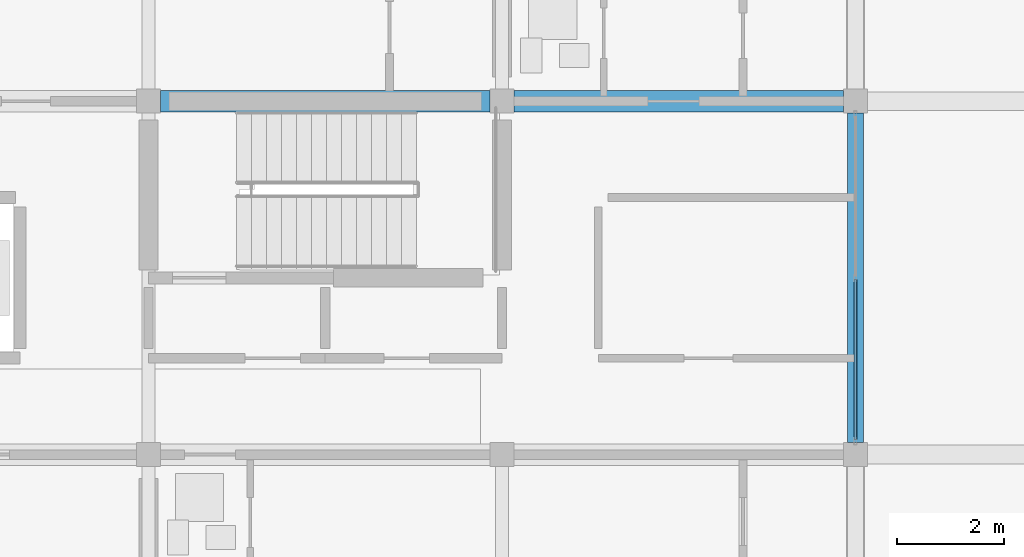
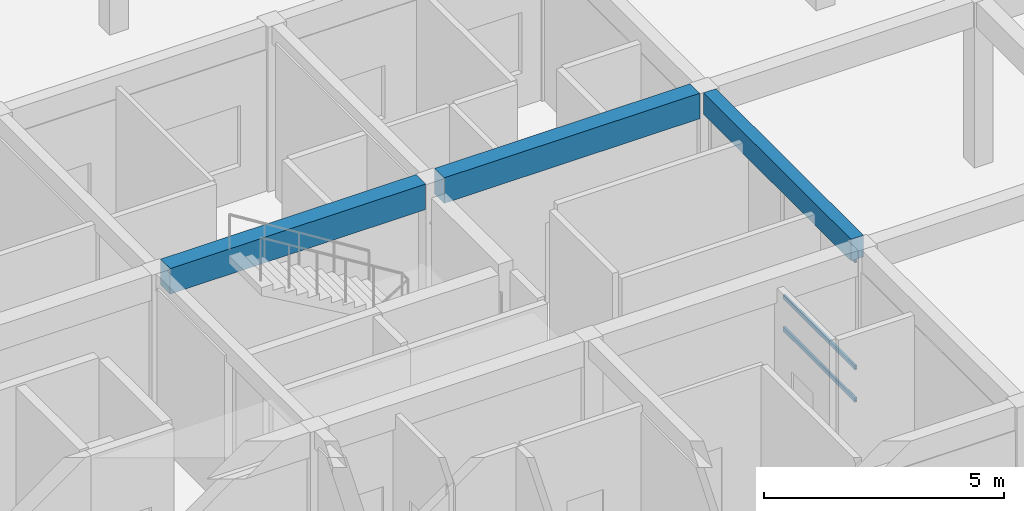
# One storey, part 14 of 75: 3 beams, 3 members, 1 element without a shape of its own.
"""IFC4 building model written with IfcOpenShell, lengths in metres."""

from ifc_helpers import new_model, si_unit, direction, frame, origin, origin_2d, place, context, subcontext, project, spatial, rectangle, hollow_rectangle, extrude, material, material_profile, profile_set, type_object, element, aggregate, save


model = new_model("IFC4")

# Units and contexts
model_context = context("Model", 3, precision=1e-05, world=origin(), true_north=direction((0.0, 1.0)))
body_context = subcontext(model_context, "Body", "Model", "MODEL_VIEW")
ifc_project = project(units=[si_unit("LENGTHUNIT", "METRE"), si_unit("AREAUNIT", "SQUARE_METRE"), si_unit("VOLUMEUNIT", "CUBIC_METRE"), si_unit("PLANEANGLEUNIT", "RADIAN"), si_unit("MASSUNIT", "GRAM", prefix="KILO")], contexts=[model_context])

# Site, building, storey
site_placement = place(None, origin())
site = spatial("IfcSite", under=ifc_project, at=site_placement, CompositionType="ELEMENT")
building_placement = place(site_placement, origin())
building = spatial("IfcBuilding", under=site, at=building_placement, Name="Kernevlak Ridge Housing Community", CompositionType="ELEMENT")
storey_placement = place(building_placement, origin())
storey = spatial("IfcBuildingStorey", under=building, at=storey_placement, Name="L00", CompositionType="ELEMENT", Elevation=0.0)

# Beams
ifc_material_1 = material(Name="Concrete C35/45", Category="concrete")
ifc_material_profile_1 = material_profile(ifc_material_1, rectangle(XDim=0.39990234375, YDim=0.64990234375, at=origin_2d()), Name="RC 400x650")
ifc_profile_set_1 = profile_set([ifc_material_profile_1], Name="Concrete C35/45")
beam_type_1 = type_object("IfcBeamType", Name="B-03", PredefinedType="T_BEAM", material=ifc_profile_set_1)
beam_1_placement = place(storey_placement, frame((29.02490234375, 28.800048828125, 3.875), z_axis=(1.0, 0.0, 0.0), x_axis=(0.0, 1.0, 0.0)))
element("IfcBeam", 1, at=beam_1_placement, inside=storey, type_object=beam_type_1, Name="Beam B-03 L00 1318", PredefinedType="T_BEAM", context=body_context, shape_type="SweptSolid", body=[
    extrude(rectangle(XDim=0.39990234375, YDim=0.64990234375, at=origin_2d()), origin(), (0.0, 0.0, 1.0), 6.150146484375),
])
beam_2_placement = place(storey_placement, frame((35.625, 28.800048828125, 3.875), z_axis=(1.0, 0.0, 0.0), x_axis=(0.0, 1.0, 0.0)))
element("IfcBeam", 2, at=beam_2_placement, inside=storey, type_object=beam_type_1, Name="Beam B-03 L00 1319", PredefinedType="T_BEAM", context=body_context, shape_type="SweptSolid", body=[
    extrude(rectangle(XDim=0.39990234375, YDim=0.64990234375, at=origin_2d()), origin(), (0.0, 0.0, 1.0), 6.14990234375),
])
ifc_material_profile_2 = material_profile(ifc_material_1, rectangle(XDim=0.300048828125, YDim=0.550048828125, at=origin_2d()), Name="RC 300x550")
ifc_profile_set_2 = profile_set([ifc_material_profile_2], Name="Concrete C35/45")
beam_type_2 = type_object("IfcBeamType", Name="SP-01", PredefinedType="SPANDREL", material=ifc_profile_set_2)
beam_3_placement = place(storey_placement, frame((42.0, 22.425048828125, 3.925048828125), z_axis=(0.0, 1.0, 0.0), x_axis=(-1.0, 0.0, 0.0)))
element("IfcBeam", 3, at=beam_3_placement, inside=storey, type_object=beam_type_2, Name="Beam SP-01 L00 1335", PredefinedType="SPANDREL", context=body_context, shape_type="SweptSolid", body=[
    extrude(rectangle(XDim=0.300048828125, YDim=0.550048828125, at=origin_2d()), origin(), (0.0, 0.0, 1.0), 6.14990234375),
])

# Curtain wall, members
ifc_material_2 = material(Name="Aluminium EN AW-6060 anodised and laminated glass", Category="aluminium")
curtain_wall_type = type_object("IfcCurtainWallType", Name="CW-02", PredefinedType="NOTDEFINED", material=ifc_material_2)
curtain_wall_placement = place(storey_placement, origin())
curtain_wall = element("IfcCurtainWall", 4, at=curtain_wall_placement, inside=storey, type_object=curtain_wall_type, Name="Curtain wall CW-02 CW-L00-141", PredefinedType="NOTDEFINED")
ifc_material_3 = material(Name="Aluminium EN AW-6060 anodised", Category="aluminium")
ifc_material_profile_3 = material_profile(ifc_material_3, hollow_rectangle(XDim=0.054931640625, YDim=0.110107421875, WallThickness=0.00390625, InnerFilletRadius=0.001953125, OuterFilletRadius=0.00390625, at=origin_2d()), Name="ALU 55x110x4")
ifc_profile_set_3 = profile_set([ifc_material_profile_3], Name="Aluminium EN AW-6060 anodised")
member_type = type_object("IfcMemberType", Name="TM-01", PredefinedType="USERDEFINED", material=ifc_profile_set_3)
member_1_placement = place(storey_placement, frame((42.0, 22.47998046875, 0.027587890625), z_axis=(0.0, 1.0, 0.0), x_axis=(-1.0, 0.0, 0.0)))
member_1 = element("IfcMember", 5, at=member_1_placement, type_object=member_type, Name="CW-02 transom 1.1", ObjectType="TRANSOM", PredefinedType="USERDEFINED", context=body_context, shape_type="SweptSolid", body=[
    extrude(hollow_rectangle(XDim=0.054931640625, YDim=0.110107421875, WallThickness=0.00390625, InnerFilletRadius=0.001953125, OuterFilletRadius=0.00390625, at=origin_2d()), origin(), (0.0, 0.0, 1.0), 2.992431640625),
])
member_2_placement = place(storey_placement, frame((42.0, 22.47998046875, 0.85009765625), z_axis=(0.0, 1.0, 0.0), x_axis=(-1.0, 0.0, 0.0)))
member_2 = element("IfcMember", 6, at=member_2_placement, type_object=member_type, Name="CW-02 transom 1.2", ObjectType="TRANSOM", PredefinedType="USERDEFINED", context=body_context, shape_type="SweptSolid", body=[
    extrude(hollow_rectangle(XDim=0.054931640625, YDim=0.110107421875, WallThickness=0.00390625, InnerFilletRadius=0.001953125, OuterFilletRadius=0.00390625, at=origin_2d()), origin(), (0.0, 0.0, 1.0), 2.992431640625),
])
member_3_placement = place(storey_placement, frame((42.0, 22.47998046875, 3.572509765625), z_axis=(0.0, 1.0, 0.0), x_axis=(-1.0, 0.0, 0.0)))
member_3 = element("IfcMember", 7, at=member_3_placement, type_object=member_type, Name="CW-02 transom 1.3", ObjectType="TRANSOM", PredefinedType="USERDEFINED", context=body_context, shape_type="SweptSolid", body=[
    extrude(hollow_rectangle(XDim=0.054931640625, YDim=0.110107421875, WallThickness=0.00390625, InnerFilletRadius=0.001953125, OuterFilletRadius=0.00390625, at=origin_2d()), origin(), (0.0, 0.0, 1.0), 2.992431640625),
])
aggregate(curtain_wall, [member_1, member_2, member_3])

save(model, "model.ifc")
